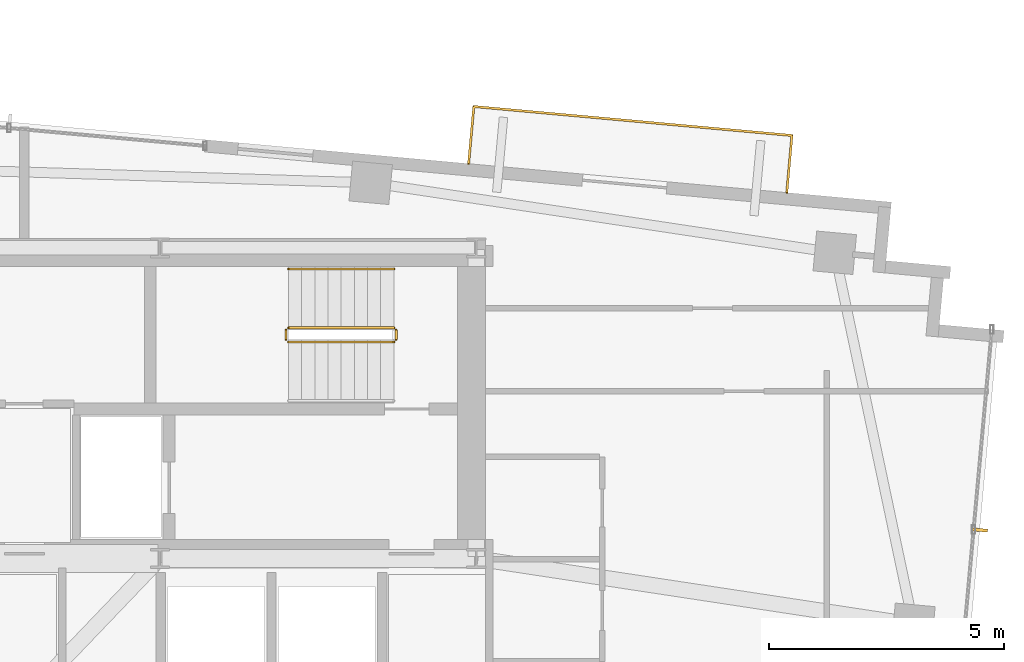
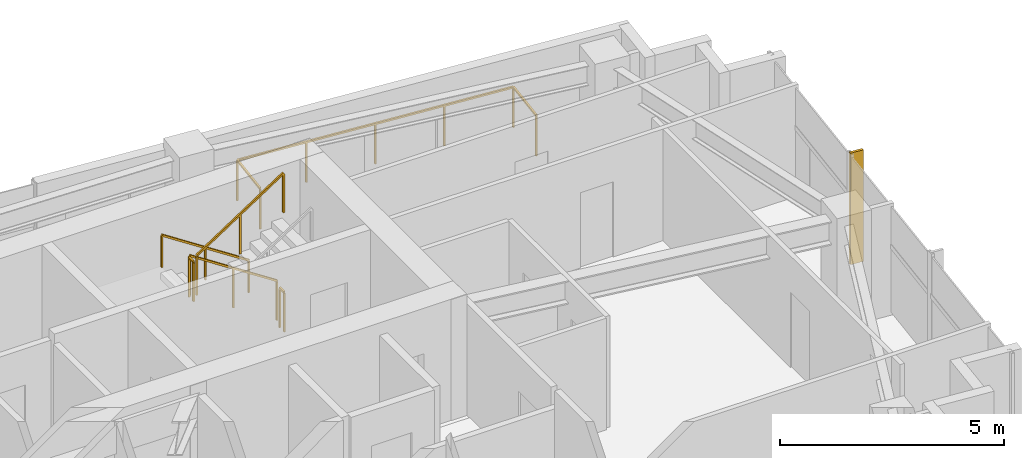
# One storey, part 22 of 22: 6 railings, 1 shading device.
"""IFC4 building model written with IfcOpenShell, lengths in metres."""

import ifcopenshell
import ifcopenshell.guid

model = None  # the IFC model being written
_history = None  # IfcOwnerHistory: only IFC2X3 demands one
_inside = {}  # id of a spatial element -> (the spatial element, [elements in it])
_under = {}  # id of a project, library or spatial element -> (it, [spatial elements below it])
_declared = {}  # id of a project -> (the project, [libraries it declares])
_typed = {}  # id of a type object -> (the type object, [elements of that type])
_made_of = {}  # id of a material, layer set ... -> (it, [elements and type objects made of it])


def new_model(schema):
    """Start an empty IFC model of exactly this schema.

    Asked for "IFC4X3", IfcOpenShell would pick the latest addendum, in which some entities
    have other attributes; the version numbers below select the first issue.
    IFC2X3 requires an IfcOwnerHistory on every rooted entity: one is made here for all.
    """
    global model, _history
    if schema == "IFC4X3":
        model = ifcopenshell.file(schema_version=(4, 3, 0, 0))
    else:
        model = ifcopenshell.file(schema=schema)
    _inside.clear()
    _under.clear()
    _declared.clear()
    _typed.clear()
    _made_of.clear()
    _history = None
    if model.schema == "IFC2X3":
        org = make("IfcOrganization", Name="unknown")
        user = make(
            "IfcPersonAndOrganization",
            ThePerson=make("IfcPerson", FamilyName="unknown"),
            TheOrganization=org,
        )
        app = make(
            "IfcApplication",
            ApplicationDeveloper=org,
            Version="unknown",
            ApplicationFullName="unknown",
            ApplicationIdentifier="unknown",
        )
        _history = make(
            "IfcOwnerHistory",
            OwningUser=user,
            OwningApplication=app,
            ChangeAction="ADDED",
            CreationDate=0,
        )
    return model


def make(cls, **values):
    """One entity of the class cls with the attributes given. An attribute that is None is left unset."""
    return model.create_entity(
        cls, **{name: value for name, value in values.items() if value is not None}
    )


def rooted(cls, **values):
    """An entity with a GlobalId (a new one), such as an element, a storey or a relation."""
    return make(cls, GlobalId=ifcopenshell.guid.new(), OwnerHistory=_history, **values)


def si_unit(unit_type, name, prefix=None):
    """IfcSIUnit, for example si_unit("LENGTHUNIT", "METRE", prefix="MILLI")."""
    return make("IfcSIUnit", UnitType=unit_type, Prefix=prefix, Name=name)


def assignment(units):
    """IfcUnitAssignment: the units of a project."""
    return None if units is None else make("IfcUnitAssignment", Units=units)


def point(xyz):
    """IfcCartesianPoint."""
    return None if xyz is None else make("IfcCartesianPoint", Coordinates=xyz)


def direction(xyz):
    """IfcDirection."""
    return None if xyz is None else make("IfcDirection", DirectionRatios=xyz)


def frame(location, z_axis=None, x_axis=None):
    """IfcAxis2Placement3D, a coordinate frame: its origin and axes. An axis left out is left unset."""
    return make(
        "IfcAxis2Placement3D",
        Location=point(location),
        Axis=direction(z_axis),
        RefDirection=direction(x_axis),
    )


def frame_2d(location, x_axis=None):
    """IfcAxis2Placement2D, a coordinate frame in the plane: its origin and x axis."""
    return make(
        "IfcAxis2Placement2D", Location=point(location), RefDirection=direction(x_axis)
    )


def origin():
    """The frame at (0, 0, 0) with its axes left unset."""
    return frame((0.0, 0.0, 0.0))


def origin_2d():
    """The frame at (0, 0) in the plane with its x axis left unset."""
    return frame_2d((0.0, 0.0))


def place(relative_to, where):
    """IfcLocalPlacement: puts the frame where relative to a parent placement (None: the world)."""
    return make(
        "IfcLocalPlacement", PlacementRelTo=relative_to, RelativePlacement=where
    )


def context(
    kind, dimensions, precision=None, world=None, true_north=None, identifier=None
):
    """IfcGeometricRepresentationContext, for example the 3D "Model" context."""
    return make(
        "IfcGeometricRepresentationContext",
        ContextIdentifier=identifier,
        ContextType=kind,
        CoordinateSpaceDimension=dimensions,
        Precision=precision,
        WorldCoordinateSystem=world,
        TrueNorth=true_north,
    )


def subcontext(parent, identifier, kind, view, scale=None):
    """IfcGeometricRepresentationSubContext, for example "Body" below "Model"."""
    return make(
        "IfcGeometricRepresentationSubContext",
        ContextIdentifier=identifier,
        ContextType=kind,
        ParentContext=parent,
        TargetScale=scale,
        TargetView=view,
    )


def project(units=None, contexts=None):
    """IfcProject with its units and contexts."""
    return rooted(
        "IfcProject",
        Name="project",
        RepresentationContexts=contexts,
        UnitsInContext=assignment(units),
    )


def spatial(cls, under=None, at=None, **own):
    """A site, building, storey or space (cls), placed at a placement, below another one or the project."""
    s = rooted(cls, ObjectPlacement=at, **own)
    if under is not None:
        _under.setdefault(under.id(), (under, []))[1].append(s)
    return s


def profile(cls, at=None, kind="AREA", **sizes):
    """A parametric profile (cls). Its sizes go by their IFC names, for example OverallWidth=200.0."""
    return make(cls, ProfileType=kind, Position=at, **sizes)


def rectangle(**sizes):
    """IfcRectangleProfileDef."""
    return profile("IfcRectangleProfileDef", **sizes)


def extrude(swept, where, along, depth):
    """IfcExtrudedAreaSolid: the profile swept, set in the frame where, extruded along a direction by depth."""
    return make(
        "IfcExtrudedAreaSolid",
        SweptArea=swept,
        Position=where,
        ExtrudedDirection=direction(along),
        Depth=depth,
    )


def shape(context_of_items, identifier, shape_type, items):
    """IfcShapeRepresentation: the items that make up one representation, for example the "Body"."""
    return make(
        "IfcShapeRepresentation",
        ContextOfItems=context_of_items,
        RepresentationIdentifier=identifier,
        RepresentationType=shape_type,
        Items=items,
    )


def source(mapping_origin, context_of_items, identifier, shape_type, items):
    """IfcRepresentationMap: a shape defined once, which mapped items show again and again."""
    return make(
        "IfcRepresentationMap",
        MappingOrigin=mapping_origin,
        MappedRepresentation=shape(context_of_items, identifier, shape_type, items),
    )


def transform(
    local_origin,
    x_axis=None,
    y_axis=None,
    z_axis=None,
    scale=None,
    scale2=None,
    scale3=None,
    uniform=True,
):
    """IfcCartesianTransformationOperator3D, or its non-uniform kind. x_axis, y_axis, z_axis: its Axis1, 2, 3."""
    if uniform:
        return make(
            "IfcCartesianTransformationOperator3D",
            Axis1=direction(x_axis),
            Axis2=direction(y_axis),
            LocalOrigin=point(local_origin),
            Scale=scale,
            Axis3=direction(z_axis),
        )
    return make(
        "IfcCartesianTransformationOperator3DnonUniform",
        Axis1=direction(x_axis),
        Axis2=direction(y_axis),
        LocalOrigin=point(local_origin),
        Scale=scale,
        Axis3=direction(z_axis),
        Scale2=scale2,
        Scale3=scale3,
    )


def mapped(mapping_source, mapping_target):
    """IfcMappedItem: shows the shape of a source again, moved by a transform."""
    return make(
        "IfcMappedItem", MappingSource=mapping_source, MappingTarget=mapping_target
    )


def material(Name=None, Category=None):
    """IfcMaterial."""
    return make("IfcMaterial", Name=Name, Category=Category)


def made_of(thing, what):
    """Note that an element or type object is made of a material, layer set ...; save() writes the relation."""
    if what is not None:
        _made_of.setdefault(what.id(), (what, []))[1].append(thing)
    return thing


def type_object(cls, material=None, **own):
    """A type object (cls), such as IfcWallType, which elements share."""
    return made_of(rooted(cls, **own), material)


def type_shapes(of_type, sources):
    """Give a type object the sources (RepresentationMaps) that its elements show as mapped items."""
    of_type.RepresentationMaps = sources


def element(
    cls,
    number,
    at=None,
    inside=None,
    cuts=None,
    type_object=None,
    material=None,
    context=None,
    identifier="Body",
    shape_type=None,
    held_by="IfcProductDefinitionShape",
    body=None,
    shapes=None,
    **own,
):
    """One element of the class cls, such as IfcWall. Its Tag is "e" and its number.

    at: its placement. inside: the storey or other place that contains it. cuts: it is an
    opening in that element (IfcRelVoidsElement). A single representation is given by context,
    identifier, shape_type and body (its items); several are given by shapes. held_by: the class
    of the entity that holds the representations. save() writes the other relations.
    """
    e = rooted(cls, Tag="e%d" % number, ObjectPlacement=at, **own)
    if body is not None:
        shapes = [shape(context, identifier, shape_type, body)]
    if shapes is not None:
        e.Representation = make(held_by, Representations=shapes)
    if inside is not None:
        _inside.setdefault(inside.id(), (inside, []))[1].append(e)
    if cuts is not None:
        rooted(
            "IfcRelVoidsElement", RelatingBuildingElement=cuts, RelatedOpeningElement=e
        )
    if type_object is not None:
        _typed.setdefault(type_object.id(), (type_object, []))[1].append(e)
    return made_of(e, material)


def aggregate(whole, parts):
    """IfcRelAggregates: a whole, such as a stair, and the parts it consists of."""
    return rooted("IfcRelAggregates", RelatingObject=whole, RelatedObjects=parts)


def save(model, path):
    """Write the relations noted so far, then the file.

    IfcRelAggregates (storeys below a building ...), IfcRelContainedInSpatialStructure (elements
    in a storey), IfcRelDefinesByType, IfcRelAssociatesMaterial and IfcRelDeclares: one each for
    every whole, place, type object, material and project.
    """
    for whole, parts in _under.values():
        aggregate(whole, parts)
    for where, things in _inside.values():
        rooted(
            "IfcRelContainedInSpatialStructure",
            RelatedElements=things,
            RelatingStructure=where,
        )
    for kind, things in _typed.values():
        rooted("IfcRelDefinesByType", RelatedObjects=things, RelatingType=kind)
    for what, things in _made_of.values():
        rooted("IfcRelAssociatesMaterial", RelatedObjects=things, RelatingMaterial=what)
    for by, libraries in _declared.values():
        rooted("IfcRelDeclares", RelatingContext=by, RelatedDefinitions=libraries)
    model.write(path)


model = new_model("IFC4")

# Units and contexts
model_context = context("Model", 3, precision=1e-05, world=origin(), true_north=direction((0.0, 1.0)))
body_context = subcontext(model_context, "Body", "Model", "MODEL_VIEW")
ifc_project = project(units=[si_unit("LENGTHUNIT", "METRE"), si_unit("AREAUNIT", "SQUARE_METRE"), si_unit("VOLUMEUNIT", "CUBIC_METRE"), si_unit("PLANEANGLEUNIT", "RADIAN"), si_unit("MASSUNIT", "GRAM", prefix="KILO")], contexts=[model_context])

# Site, building, storey
site_placement = place(None, origin())
site = spatial("IfcSite", under=ifc_project, at=site_placement, CompositionType="ELEMENT")
building_placement = place(site_placement, origin())
building = spatial("IfcBuilding", under=site, at=building_placement, Name="Astriad Promenade Condominiums", CompositionType="ELEMENT")
storey_placement = place(building_placement, frame((0.0, 0.0, 229.800048828125)))
storey = spatial("IfcBuildingStorey", under=building, at=storey_placement, Name="L66", CompositionType="ELEMENT", Elevation=229.800048828125)

# Shading device
ifc_material_1 = material(Name="Anodised aluminium 6063-T6 Black Fin", Category="aluminium")
shading_device_type = type_object("IfcShadingDeviceType", Name="FIN-BLACK-260", PredefinedType="USERDEFINED", material=ifc_material_1)
shared_shape_1 = source(origin(), body_context, "Body", "SweptSolid", [
    extrude(rectangle(XDim=0.06494140625, YDim=0.320068359375, at=origin_2d()), origin(), (0.0, 0.0, 1.0), 3.0400390625),
])
type_shapes(shading_device_type, [shared_shape_1])
shading_device_placement = place(storey_placement, frame((56.306884765625, 18.0029296875, 0.0), z_axis=(0.0, 0.0, 1.0), x_axis=(-0.090632580198, -0.995884398616, 0.0)))
element("IfcShadingDevice", 1, at=shading_device_placement, inside=storey, type_object=shading_device_type, Name="CW-L66-E-FIN-01", ObjectType="FIN", PredefinedType="USERDEFINED", context=body_context, shape_type="MappedRepresentation", body=[
    mapped(shared_shape_1, transform((0.0, 0.0, 0.0), scale=1.0)),
])

# Railings
ifc_material_2 = material(Name="Laminated Glass and Stainless Steel Balustrade", Category="steel")
railing_type_1 = type_object("IfcRailingType", Name="GRD-BALC-1120", PredefinedType="BALUSTRADE", material=ifc_material_2)
shared_shape_2 = source(origin(), body_context, "Body", "SweptSolid", [
    extrude(rectangle(XDim=0.048095703125, YDim=0.048095703125, at=origin_2d()), frame((0.0, 0.0, 1.09619140625), z_axis=(0.09066206129, 0.995881715186, 0.0), x_axis=(-0.995881715186, 0.09066206129, 0.0)), (0.0, 0.0, 1.0), 1.219970703125),
    extrude(rectangle(XDim=0.048095703125, YDim=0.048095703125, at=origin_2d()), frame((0.110595703125, 1.21484375, 1.09619140625), z_axis=(-0.995881997721, 0.090658957724, 0.0), x_axis=(-0.090658957724, -0.995881997721, 0.0)), (0.0, 0.0, 1.0), 6.7890625),
    extrude(rectangle(XDim=0.048095703125, YDim=0.048095703125, at=origin_2d()), frame((-6.650390625, 1.830322265625, 1.09619140625), z_axis=(-0.090643994769, -0.995883359743, 0.0), x_axis=(0.995883359743, -0.090643994769, 0.0)), (0.0, 0.0, 1.0), 1.22021484375),
    extrude(rectangle(XDim=0.0419921875, YDim=0.0419921875, at=origin_2d()), origin(), (0.0, 0.0, 1.0), 1.072021484375),
    extrude(rectangle(XDim=0.0419921875, YDim=0.0419921875, at=origin_2d()), frame((0.110595703125, 1.21484375, 0.0)), (0.0, 0.0, 1.0), 1.072021484375),
    extrude(rectangle(XDim=0.0419921875, YDim=0.0419921875, at=origin_2d()), frame((-1.57958984375, 1.36865234375, 0.0)), (0.0, 0.0, 1.0), 1.072021484375),
    extrude(rectangle(XDim=0.0419921875, YDim=0.0419921875, at=origin_2d()), frame((-3.27001953125, 1.5224609375, 0.0)), (0.0, 0.0, 1.0), 1.072021484375),
    extrude(rectangle(XDim=0.0419921875, YDim=0.0419921875, at=origin_2d()), frame((-4.960205078125, 1.676513671875, 0.0)), (0.0, 0.0, 1.0), 1.072021484375),
    extrude(rectangle(XDim=0.0419921875, YDim=0.0419921875, at=origin_2d()), frame((-6.650390625, 1.830322265625, 0.0)), (0.0, 0.0, 1.0), 1.072021484375),
    extrude(rectangle(XDim=0.0419921875, YDim=0.0419921875, at=origin_2d()), frame((-6.760986328125, 0.615234375, 0.0)), (0.0, 0.0, 1.0), 1.072021484375),
])
type_shapes(railing_type_1, [shared_shape_2])
railing_1_placement = place(storey_placement, frame((52.19873046875, 25.17138671875, 0.0)))
element("IfcRailing", 2, at=railing_1_placement, inside=storey, type_object=railing_type_1, Name="GRD-BALC-L66-NE", PredefinedType="BALUSTRADE", context=body_context, shape_type="MappedRepresentation", body=[
    mapped(shared_shape_2, transform((0.0, 0.0, 0.0), scale=1.0)),
])
ifc_material_3 = material(Name="Painted Galvanised Steel Guardrail", Category="steel")
railing_type_2 = type_object("IfcRailingType", Name="GRD-STAIR-1100", PredefinedType="GUARDRAIL", material=ifc_material_3)
shared_shape_3 = source(origin(), body_context, "Body", "SweptSolid", [
    extrude(rectangle(XDim=0.048095703125, YDim=0.048095703125, at=origin_2d()), frame((0.0, 0.0, 1.076171875), z_axis=(-0.836636935527, 0.0, 0.547757827979), x_axis=(0.0, -1.0, 0.0)), (0.0, 0.0, 1.0), 2.677490234375),
    extrude(rectangle(XDim=0.0419921875, YDim=0.0419921875, at=origin_2d()), origin(), (0.0, 0.0, 1.0), 1.052001953125),
    extrude(rectangle(XDim=0.0419921875, YDim=0.0419921875, at=origin_2d()), frame((-1.1201171875, 0.0, 0.7333984375)), (0.0, 0.0, 1.0), 1.052001953125),
    extrude(rectangle(XDim=0.0419921875, YDim=0.0419921875, at=origin_2d()), frame((-2.239990234375, 0.0, 1.466552734375)), (0.0, 0.0, 1.0), 1.052001953125),
])
railing_2_placement = place(storey_placement, frame((43.85009765625, 22.300048828125, 0.183349609375)))
element("IfcRailing", 3, at=railing_2_placement, inside=storey, type_object=railing_type_2, Name="L66 ST-2 stair guard 1", PredefinedType="GUARDRAIL", context=body_context, shape_type="MappedRepresentation", body=[
    mapped(shared_shape_3, transform((0.0, 0.0, 0.0), scale=1.0)),
])
ifc_material_4 = material(Name="Brushed Stainless Steel Handrail", Category="steel")
railing_type_3 = type_object("IfcRailingType", Name="HRL-STAIR-920", PredefinedType="HANDRAIL", material=ifc_material_4)
shared_shape_4 = source(origin(), body_context, "Body", "SweptSolid", [
    extrude(rectangle(XDim=0.048095703125, YDim=0.048095703125, at=origin_2d()), frame((0.0, 0.0, 0.8759765625), z_axis=(-0.836636935527, 0.0, 0.547757827979), x_axis=(0.0, -1.0, 0.0)), (0.0, 0.0, 1.0), 2.677490234375),
    extrude(rectangle(XDim=0.0419921875, YDim=0.0419921875, at=origin_2d()), origin(), (0.0, 0.0, 1.0), 0.851806640625),
    extrude(rectangle(XDim=0.0419921875, YDim=0.0419921875, at=origin_2d()), frame((-1.1201171875, 0.0, 0.7333984375)), (0.0, 0.0, 1.0), 0.851806640625),
    extrude(rectangle(XDim=0.0419921875, YDim=0.0419921875, at=origin_2d()), frame((-2.239990234375, 0.0, 1.466552734375)), (0.0, 0.0, 1.0), 0.851806640625),
])
type_shapes(railing_type_3, [shared_shape_4])
railing_3_placement = place(storey_placement, frame((43.85009765625, 23.550048828125, 0.183349609375)))
element("IfcRailing", 4, at=railing_3_placement, inside=storey, type_object=railing_type_3, Name="L66 ST-2 stair handrail 1", PredefinedType="HANDRAIL", context=body_context, shape_type="MappedRepresentation", body=[
    mapped(shared_shape_4, transform((0.0, 0.0, 0.0), scale=1.0)),
])
shared_shape_5 = source(origin(), body_context, "Body", "SweptSolid", [
    extrude(rectangle(XDim=0.048095703125, YDim=0.048095703125, at=origin_2d()), frame((0.0, 0.0, 1.076171875), z_axis=(0.836595146698, 0.0, 0.547821650285), x_axis=(0.0, 1.0, 0.0)), (0.0, 0.0, 1.0), 2.677490234375),
    extrude(rectangle(XDim=0.0419921875, YDim=0.0419921875, at=origin_2d()), origin(), (0.0, 0.0, 1.0), 1.052001953125),
    extrude(rectangle(XDim=0.0419921875, YDim=0.0419921875, at=origin_2d()), frame((1.1201171875, 0.0, 0.7333984375)), (0.0, 0.0, 1.0), 1.052001953125),
    extrude(rectangle(XDim=0.0419921875, YDim=0.0419921875, at=origin_2d()), frame((2.239990234375, 0.0, 1.466796875)), (0.0, 0.0, 1.0), 1.052001953125),
])
railing_4_placement = place(storey_placement, frame((41.610107421875, 22.0, 1.833251953125)))
element("IfcRailing", 5, at=railing_4_placement, inside=storey, type_object=railing_type_2, Name="L66 ST-2 stair guard 3", PredefinedType="GUARDRAIL", context=body_context, shape_type="MappedRepresentation", body=[
    mapped(shared_shape_5, transform((0.0, 0.0, 0.0), scale=1.0)),
])
shared_shape_6 = source(origin(), body_context, "Body", "SweptSolid", [
    extrude(rectangle(XDim=0.048095703125, YDim=0.048095703125, at=origin_2d()), frame((0.0, 0.0, 1.076171875), z_axis=(0.0, -1.0, 0.0), x_axis=(1.0, 0.0, 0.0)), (0.0, 0.0, 1.0), 0.199951171875),
    extrude(rectangle(XDim=0.0419921875, YDim=0.0419921875, at=origin_2d()), origin(), (0.0, 0.0, 1.0), 1.052001953125),
    extrude(rectangle(XDim=0.0419921875, YDim=0.0419921875, at=origin_2d()), frame((0.0, -0.199951171875, 0.0)), (0.0, 0.0, 1.0), 1.052001953125),
])
type_shapes(railing_type_2, [shared_shape_3, shared_shape_5, shared_shape_6])
for number, where, name in (
    (6, (41.56005859375, 22.25, 1.64990234375), "L66 ST-2 stair guard 2"),
    (7, (43.89990234375, 22.25, 0.0), "L66 ST-2 stair guard 4"),
):
    element("IfcRailing", number, at=place(storey_placement, frame(where)), inside=storey, type_object=railing_type_2, Name=name, PredefinedType="GUARDRAIL", context=body_context, shape_type="MappedRepresentation", body=[
        mapped(shared_shape_6, transform((0.0, 0.0, 0.0), scale=1.0)),
    ])

save(model, "model.ifc")
